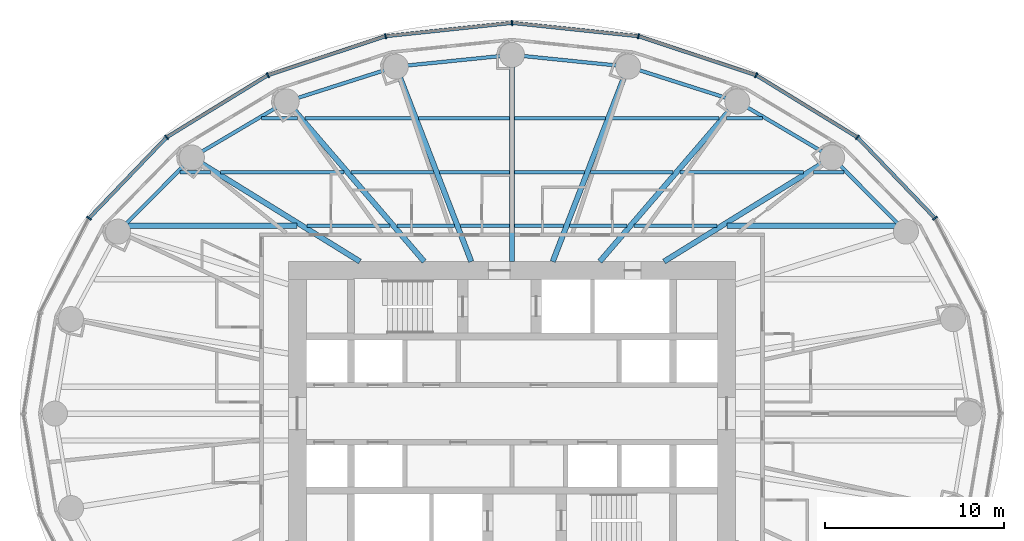
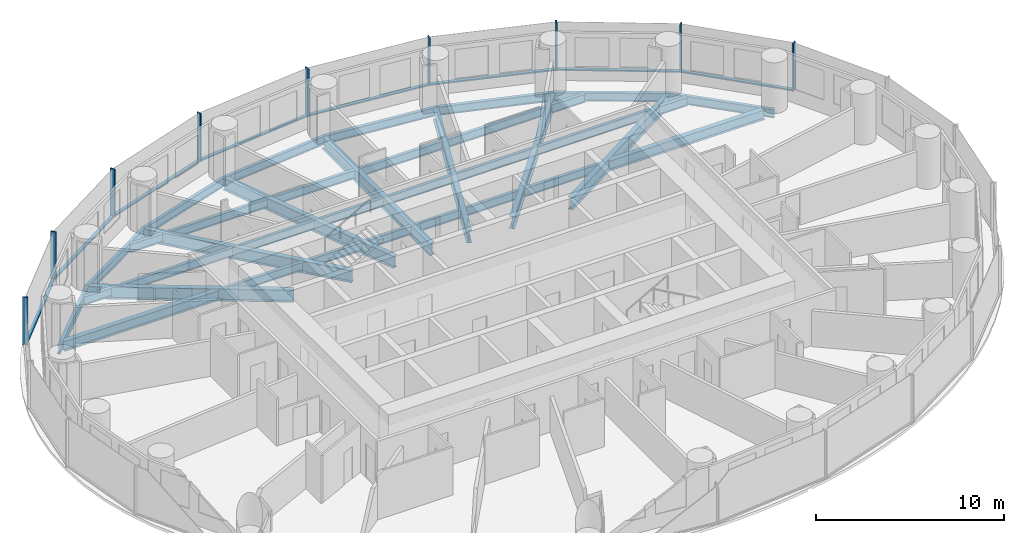
# One storey, part 4 of 14: 37 beams, 17 members, 2 elements without a shape of their own.
"""IFC4 building model written with IfcOpenShell, lengths in metres."""

from ifc_helpers import new_model, si_unit, direction, frame, origin, origin_2d, place, context, subcontext, project, spatial, rectangle, i_section, extrude, material, material_profile, profile_set, type_object, element, aggregate, save


model = new_model("IFC4")

# Units and contexts
model_context = context("Model", 3, precision=1e-05, world=origin(), true_north=direction((0.0, 1.0)))
body_context = subcontext(model_context, "Body", "Model", "MODEL_VIEW")
ifc_project = project(units=[si_unit("LENGTHUNIT", "METRE"), si_unit("AREAUNIT", "SQUARE_METRE"), si_unit("VOLUMEUNIT", "CUBIC_METRE"), si_unit("PLANEANGLEUNIT", "RADIAN"), si_unit("MASSUNIT", "GRAM", prefix="KILO")], contexts=[model_context])

# Site, building, storey
site_placement = place(None, origin())
site = spatial("IfcSite", under=ifc_project, at=site_placement, CompositionType="ELEMENT")
building_placement = place(site_placement, origin())
building = spatial("IfcBuilding", under=site, at=building_placement, Name="Hankou Lantern Tower", CompositionType="ELEMENT")
storey_placement = place(building_placement, frame((0.0, 0.0, 60.60009765625)))
storey = spatial("IfcBuildingStorey", under=building, at=storey_placement, Name="L14", CompositionType="ELEMENT", Elevation=60.60009765625)

# Beams
ifc_material_1 = material(Name="Steel Q355B", Category="steel")
ifc_material_profile_1 = material_profile(ifc_material_1, i_section(OverallWidth=0.199951171875, OverallDepth=0.550048828125, WebThickness=0.010009765625, FlangeThickness=0.01611328125, FilletRadius=0.012939453125, at=origin_2d()), Name="HN550x200x10x16")
ifc_profile_set_1 = profile_set([ifc_material_profile_1], Name="Steel Q355B")
beam_type_1 = type_object("IfcBeamType", Name="EB6 RING BEAM HN550x200x10x16", PredefinedType="SPANDREL", material=ifc_profile_set_1)
beam_1_placement = place(storey_placement, frame((22.01904296875, 10.170166015625, -0.455078125), z_axis=(-0.705727798394, 0.708483079949, 0.0), x_axis=(-0.708483079949, -0.705727798394, 0.0)))
element("IfcBeam", 1, at=beam_1_placement, inside=storey, type_object=beam_type_1, Name="Ring beam R03-R04 L14", PredefinedType="SPANDREL", context=body_context, shape_type="SweptSolid", body=[
    extrude(i_section(OverallWidth=0.199951171875, OverallDepth=0.550048828125, WebThickness=0.010009765625, FlangeThickness=0.01611328125, FilletRadius=0.012939453125, at=origin_2d()), origin(), (0.0, 0.0, 1.0), 5.84814453125),
])
beam_2_placement = place(storey_placement, frame((17.891845703125, 14.3134765625, -0.455078125), z_axis=(-0.860881533543, 0.508805449268, 0.0), x_axis=(-0.508805449268, -0.860881533543, 0.0)))
element("IfcBeam", 2, at=beam_2_placement, inside=storey, type_object=beam_type_1, Name="Ring beam R04-R05 L14", PredefinedType="SPANDREL", context=body_context, shape_type="SweptSolid", body=[
    extrude(i_section(OverallWidth=0.199951171875, OverallDepth=0.550048828125, WebThickness=0.010009765625, FlangeThickness=0.01611328125, FilletRadius=0.012939453125, at=origin_2d()), origin(), (0.0, 0.0, 1.0), 6.15771484375),
])
beam_3_placement = place(storey_placement, frame((12.5908203125, 17.446533203125, -0.455078125), z_axis=(-0.952690479428, 0.303942182671, 0.0), x_axis=(-0.303942182671, -0.952690479428, 0.0)))
element("IfcBeam", 3, at=beam_3_placement, inside=storey, type_object=beam_type_1, Name="Ring beam R05-R06 L14", PredefinedType="SPANDREL", context=body_context, shape_type="SweptSolid", body=[
    extrude(i_section(OverallWidth=0.199951171875, OverallDepth=0.550048828125, WebThickness=0.010009765625, FlangeThickness=0.01611328125, FilletRadius=0.012939453125, at=origin_2d()), origin(), (0.0, 0.0, 1.0), 6.398681640625),
])
for number, where, z_axis, x_axis, name in (
    (4, (6.494873046875, 19.391357421875, -0.455078125), (-0.994896616842, 0.100899562915, 0.0), (-0.100899562915, -0.994896616842, 0.0), "Ring beam R06-R07 L14"),
    (5, (0.0, 20.050048828125, -0.455078125), (-0.994896616842, -0.100899562915, 0.0), (0.100899562915, -0.994896616842, 0.0), "Ring beam R07-R08 L14"),
):
    element("IfcBeam", number, at=place(storey_placement, frame(where, z_axis=z_axis, x_axis=x_axis)), inside=storey, type_object=beam_type_1, Name=name, PredefinedType="SPANDREL", context=body_context, shape_type="SweptSolid", body=[
        extrude(i_section(OverallWidth=0.199951171875, OverallDepth=0.550048828125, WebThickness=0.010009765625, FlangeThickness=0.01611328125, FilletRadius=0.012939453125, at=origin_2d()), origin(), (0.0, 0.0, 1.0), 6.528076171875),
    ])
beam_4_placement = place(storey_placement, frame((-6.494873046875, 19.391357421875, -0.455078125), z_axis=(-0.952690479428, -0.303942182671, 0.0), x_axis=(0.303942182671, -0.952690479428, 0.0)))
element("IfcBeam", 6, at=beam_4_placement, inside=storey, type_object=beam_type_1, Name="Ring beam R08-R09 L14", PredefinedType="SPANDREL", context=body_context, shape_type="SweptSolid", body=[
    extrude(i_section(OverallWidth=0.199951171875, OverallDepth=0.550048828125, WebThickness=0.010009765625, FlangeThickness=0.01611328125, FilletRadius=0.012939453125, at=origin_2d()), origin(), (0.0, 0.0, 1.0), 6.398681640625),
])
beam_5_placement = place(storey_placement, frame((-12.5908203125, 17.446533203125, -0.455078125), z_axis=(-0.860881533543, -0.508805449268, 0.0), x_axis=(0.508805449268, -0.860881533543, 0.0)))
element("IfcBeam", 7, at=beam_5_placement, inside=storey, type_object=beam_type_1, Name="Ring beam R09-R10 L14", PredefinedType="SPANDREL", context=body_context, shape_type="SweptSolid", body=[
    extrude(i_section(OverallWidth=0.199951171875, OverallDepth=0.550048828125, WebThickness=0.010009765625, FlangeThickness=0.01611328125, FilletRadius=0.012939453125, at=origin_2d()), origin(), (0.0, 0.0, 1.0), 6.15771484375),
])
beam_6_placement = place(storey_placement, frame((-17.891845703125, 14.3134765625, -0.455078125), z_axis=(-0.705727798394, -0.708483079949, 0.0), x_axis=(0.708483079949, -0.705727798394, 0.0)))
element("IfcBeam", 8, at=beam_6_placement, inside=storey, type_object=beam_type_1, Name="Ring beam R10-R11 L14", PredefinedType="SPANDREL", context=body_context, shape_type="SweptSolid", body=[
    extrude(i_section(OverallWidth=0.199951171875, OverallDepth=0.550048828125, WebThickness=0.010009765625, FlangeThickness=0.01611328125, FilletRadius=0.012939453125, at=origin_2d()), origin(), (0.0, 0.0, 1.0), 5.84814453125),
])

# Curtain wall, members
ifc_material_2 = material(Name="Glass, dark grey tinted laminated", Category="glass")
curtain_wall_type = type_object("IfcCurtainWallType", Name="CWA OUTER SKIN LOW-RISE", PredefinedType="USERDEFINED", material=ifc_material_2)
curtain_wall_1_placement = place(storey_placement, origin())
curtain_wall_1 = element("IfcCurtainWall", 9, at=curtain_wall_1_placement, inside=storey, type_object=curtain_wall_type, Name="CWA L14 OS1", ObjectType="OUTER SKIN LOW-RISE", PredefinedType="USERDEFINED")
ifc_material_3 = material(Name="Aluminium, black anodised", Category="aluminium")
ifc_material_profile_2 = material_profile(ifc_material_3, rectangle(XDim=0.080078125, YDim=0.300048828125, at=origin_2d()), Name="MU1 80X300")
ifc_profile_set_2 = profile_set([ifc_material_profile_2], Name="Aluminium, black anodised")
member_type_1 = type_object("IfcMemberType", Name="MU1 OUTER SKIN MULLION 80X300", PredefinedType="MULLION", material=ifc_profile_set_2)
member_1_placement = place(storey_placement, frame((23.642578125, 10.919921875, 0.0), z_axis=(0.0, 0.0, 1.0), x_axis=(-0.585205735974, 0.810884854084, 0.0)))
member_1 = element("IfcMember", 10, at=member_1_placement, type_object=member_type_1, Name="CWA mullion 3", PredefinedType="MULLION", context=body_context, shape_type="SweptSolid", body=[
    extrude(rectangle(XDim=0.080078125, YDim=0.300048828125, at=origin_2d()), origin(), (0.0, 0.0, 1.0), 3.119873046875),
])
member_2_placement = place(storey_placement, frame((19.303955078125, 15.443115234375, 0.0), z_axis=(0.0, 0.0, 1.0), x_axis=(-0.780868809444, 0.624695047553, 0.0)))
member_2 = element("IfcMember", 11, at=member_2_placement, type_object=member_type_1, Name="CWA mullion 4", PredefinedType="MULLION", context=body_context, shape_type="SweptSolid", body=[
    extrude(rectangle(XDim=0.080078125, YDim=0.300048828125, at=origin_2d()), origin(), (0.0, 0.0, 1.0), 3.119873046875),
])
member_3_placement = place(storey_placement, frame((13.64990234375, 18.9140625, 0.0), z_axis=(0.0, 0.0, 1.0), x_axis=(-0.907841299004, 0.419313934686, 0.0)))
member_3 = element("IfcMember", 12, at=member_3_placement, type_object=member_type_1, Name="CWA mullion 5", PredefinedType="MULLION", context=body_context, shape_type="SweptSolid", body=[
    extrude(rectangle(XDim=0.080078125, YDim=0.300048828125, at=origin_2d()), origin(), (0.0, 0.0, 1.0), 3.119873046875),
])
member_4_placement = place(storey_placement, frame((7.065673828125, 21.095703125, 0.0), z_axis=(0.0, 0.0, 1.0), x_axis=(-0.977787659625, 0.209597931016, 0.0)))
member_4 = element("IfcMember", 13, at=member_4_placement, type_object=member_type_1, Name="CWA mullion 6", PredefinedType="MULLION", context=body_context, shape_type="SweptSolid", body=[
    extrude(rectangle(XDim=0.080078125, YDim=0.300048828125, at=origin_2d()), origin(), (0.0, 0.0, 1.0), 3.119873046875),
])

curtain_wall_2_placement = place(storey_placement, origin())
curtain_wall_2 = element("IfcCurtainWall", 14, at=curtain_wall_2_placement, inside=storey, type_object=curtain_wall_type, Name="CWA L14 OS2", ObjectType="OUTER SKIN LOW-RISE", PredefinedType="USERDEFINED")
member_5_placement = place(storey_placement, frame((0.0, 21.840087890625, 0.0), z_axis=(0.0, 0.0, 1.0), x_axis=(-0.994499359107, -0.104742659579, 0.0)))
member_5 = element("IfcMember", 15, at=member_5_placement, type_object=member_type_1, Name="CWA mullion 1", PredefinedType="MULLION", context=body_context, shape_type="SweptSolid", body=[
    extrude(rectangle(XDim=0.080078125, YDim=0.300048828125, at=origin_2d()), origin(), (0.0, 0.0, 1.0), 3.119873046875),
])
member_6_placement = place(storey_placement, frame((-7.065673828125, 21.095703125, 0.0), z_axis=(0.0, 0.0, 1.0), x_axis=(-0.977787659625, -0.209597931016, 0.0)))
member_6 = element("IfcMember", 16, at=member_6_placement, type_object=member_type_1, Name="CWA mullion 2", PredefinedType="MULLION", context=body_context, shape_type="SweptSolid", body=[
    extrude(rectangle(XDim=0.080078125, YDim=0.300048828125, at=origin_2d()), origin(), (0.0, 0.0, 1.0), 3.119873046875),
])
member_7_placement = place(storey_placement, frame((-13.64990234375, 18.9140625, 0.0), z_axis=(0.0, 0.0, 1.0), x_axis=(-0.907841299004, -0.419313934686, 0.0)))
member_7 = element("IfcMember", 17, at=member_7_placement, type_object=member_type_1, Name="CWA mullion 3", PredefinedType="MULLION", context=body_context, shape_type="SweptSolid", body=[
    extrude(rectangle(XDim=0.080078125, YDim=0.300048828125, at=origin_2d()), origin(), (0.0, 0.0, 1.0), 3.119873046875),
])
member_8_placement = place(storey_placement, frame((-19.303955078125, 15.443115234375, 0.0), z_axis=(0.0, 0.0, 1.0), x_axis=(-0.780868809444, -0.624695047553, 0.0)))
member_8 = element("IfcMember", 18, at=member_8_placement, type_object=member_type_1, Name="CWA mullion 4", PredefinedType="MULLION", context=body_context, shape_type="SweptSolid", body=[
    extrude(rectangle(XDim=0.080078125, YDim=0.300048828125, at=origin_2d()), origin(), (0.0, 0.0, 1.0), 3.119873046875),
])
member_9_placement = place(storey_placement, frame((-23.642578125, 10.919921875, 0.0), z_axis=(0.0, 0.0, 1.0), x_axis=(-0.585205735974, -0.810884854084, 0.0)))
member_9 = element("IfcMember", 19, at=member_9_placement, type_object=member_type_1, Name="CWA mullion 5", PredefinedType="MULLION", context=body_context, shape_type="SweptSolid", body=[
    extrude(rectangle(XDim=0.080078125, YDim=0.300048828125, at=origin_2d()), origin(), (0.0, 0.0, 1.0), 3.119873046875),
])

# Beams
ifc_material_4 = material(Name="Steel Q355B", Category="steel")
ifc_material_profile_3 = material_profile(ifc_material_4, i_section(OverallWidth=0.300048828125, OverallDepth=0.800048828125, WebThickness=0.013916015625, FlangeThickness=0.02587890625, FilletRadius=0.01806640625, at=origin_2d()), Name="HN800x300x14x26")
ifc_profile_set_3 = profile_set([ifc_material_profile_3], Name="Steel Q355B")
beam_type_2 = type_object("IfcBeamType", Name="RB11 RADIAL BEAM HN800x300x14x26", PredefinedType="BEAM", material=ifc_profile_set_3)
beam_7_placement = place(storey_placement, frame((8.5, 8.5, -0.580078125), z_axis=(0.850286343288, 0.526320372414, 0.0), x_axis=(-0.526320372414, 0.850286343288, 0.0)))
element("IfcBeam", 20, at=beam_7_placement, inside=storey, type_object=beam_type_2, Name="Radial beam R04 L14", PredefinedType="BEAM", context=body_context, shape_type="SweptSolid", body=[
    extrude(i_section(OverallWidth=0.300048828125, OverallDepth=0.800048828125, WebThickness=0.013916015625, FlangeThickness=0.02587890625, FilletRadius=0.01806640625, at=origin_2d()), origin(), (0.0, 0.0, 1.0), 11.04541015625),
])
beam_8_placement = place(storey_placement, frame((4.907470703125, 8.5, -0.580078125), z_axis=(0.651519061225, 0.758632264579, 0.0), x_axis=(-0.758632264579, 0.651519061225, 0.0)))
element("IfcBeam", 21, at=beam_8_placement, inside=storey, type_object=beam_type_2, Name="Radial beam R05 L14", PredefinedType="BEAM", context=body_context, shape_type="SweptSolid", body=[
    extrude(i_section(OverallWidth=0.300048828125, OverallDepth=0.800048828125, WebThickness=0.013916015625, FlangeThickness=0.02587890625, FilletRadius=0.01806640625, at=origin_2d()), origin(), (0.0, 0.0, 1.0), 11.79296875),
])
beam_9_placement = place(storey_placement, frame((2.277587890625, 8.5, -0.580078125), z_axis=(0.361089103374, 0.932531318201, 0.0), x_axis=(-0.932531318201, 0.361089103374, 0.0)))
element("IfcBeam", 22, at=beam_9_placement, inside=storey, type_object=beam_type_2, Name="Radial beam R06 L14", PredefinedType="BEAM", context=body_context, shape_type="SweptSolid", body=[
    extrude(i_section(OverallWidth=0.300048828125, OverallDepth=0.800048828125, WebThickness=0.013916015625, FlangeThickness=0.02587890625, FilletRadius=0.01806640625, at=origin_2d()), origin(), (0.0, 0.0, 1.0), 11.679443359375),
])
beam_10_placement = place(storey_placement, frame((0.0, 8.5, -0.580078125), z_axis=(0.0, 1.0, 0.0), x_axis=(-1.0, 0.0, 0.0)))
element("IfcBeam", 23, at=beam_10_placement, inside=storey, type_object=beam_type_2, Name="Radial beam R07 L14", PredefinedType="BEAM", context=body_context, shape_type="SweptSolid", body=[
    extrude(i_section(OverallWidth=0.300048828125, OverallDepth=0.800048828125, WebThickness=0.013916015625, FlangeThickness=0.02587890625, FilletRadius=0.01806640625, at=origin_2d()), origin(), (0.0, 0.0, 1.0), 11.550048828125),
])
beam_11_placement = place(storey_placement, frame((-2.277587890625, 8.5, -0.580078125), z_axis=(-0.361089103374, 0.932531318201, 0.0), x_axis=(-0.932531318201, -0.361089103374, 0.0)))
element("IfcBeam", 24, at=beam_11_placement, inside=storey, type_object=beam_type_2, Name="Radial beam R08 L14", PredefinedType="BEAM", context=body_context, shape_type="SweptSolid", body=[
    extrude(i_section(OverallWidth=0.300048828125, OverallDepth=0.800048828125, WebThickness=0.013916015625, FlangeThickness=0.02587890625, FilletRadius=0.01806640625, at=origin_2d()), origin(), (0.0, 0.0, 1.0), 11.679443359375),
])
beam_12_placement = place(storey_placement, frame((-4.907470703125, 8.5, -0.580078125), z_axis=(-0.651519061225, 0.758632264579, 0.0), x_axis=(-0.758632264579, -0.651519061225, 0.0)))
element("IfcBeam", 25, at=beam_12_placement, inside=storey, type_object=beam_type_2, Name="Radial beam R09 L14", PredefinedType="BEAM", context=body_context, shape_type="SweptSolid", body=[
    extrude(i_section(OverallWidth=0.300048828125, OverallDepth=0.800048828125, WebThickness=0.013916015625, FlangeThickness=0.02587890625, FilletRadius=0.01806640625, at=origin_2d()), origin(), (0.0, 0.0, 1.0), 11.79296875),
])
beam_13_placement = place(storey_placement, frame((-8.5, 8.5, -0.580078125), z_axis=(-0.850286343288, 0.526320372414, 0.0), x_axis=(-0.526320372414, -0.850286343288, 0.0)))
element("IfcBeam", 26, at=beam_13_placement, inside=storey, type_object=beam_type_2, Name="Radial beam R10 L14", PredefinedType="BEAM", context=body_context, shape_type="SweptSolid", body=[
    extrude(i_section(OverallWidth=0.300048828125, OverallDepth=0.800048828125, WebThickness=0.013916015625, FlangeThickness=0.02587890625, FilletRadius=0.01806640625, at=origin_2d()), origin(), (0.0, 0.0, 1.0), 11.04541015625),
])
ifc_material_5 = material(Name="Steel Q355B", Category="steel")
ifc_material_profile_4 = material_profile(ifc_material_5, i_section(OverallWidth=0.199951171875, OverallDepth=0.550048828125, WebThickness=0.010009765625, FlangeThickness=0.01611328125, FilletRadius=0.012939453125, at=origin_2d()), Name="HN550x200x10x16")
ifc_profile_set_4 = profile_set([ifc_material_profile_4], Name="Steel Q355B")
beam_type_3 = type_object("IfcBeamType", Name="SB6 SECONDARY BEAM HN550x200x10x16", PredefinedType="JOIST", material=ifc_profile_set_4)
beam_14_placement = place(storey_placement, frame((-11.446044921875, 10.5, -0.455078125), z_axis=(1.0, 0.0, 0.0), x_axis=(0.0, 1.0, 0.0)))
element("IfcBeam", 27, at=beam_14_placement, inside=storey, type_object=beam_type_3, Name="Floor joist J040 L14", PredefinedType="JOIST", context=body_context, shape_type="SweptSolid", body=[
    extrude(i_section(OverallWidth=0.199951171875, OverallDepth=0.550048828125, WebThickness=0.010009765625, FlangeThickness=0.01611328125, FilletRadius=0.012939453125, at=origin_2d()), origin(), (0.0, 0.0, 1.0), 4.623291015625),
])
beam_15_placement = place(storey_placement, frame((-6.427490234375, 10.5, -0.455078125), z_axis=(1.0, 0.0, 0.0), x_axis=(0.0, 1.0, 0.0)))
element("IfcBeam", 28, at=beam_15_placement, inside=storey, type_object=beam_type_3, Name="Floor joist J041 L14", PredefinedType="JOIST", context=body_context, shape_type="SweptSolid", body=[
    extrude(i_section(OverallWidth=0.199951171875, OverallDepth=0.550048828125, WebThickness=0.010009765625, FlangeThickness=0.01611328125, FilletRadius=0.012939453125, at=origin_2d()), origin(), (0.0, 0.0, 1.0), 3.214599609375),
])
for number, where, z_axis, x_axis, name in (
    (29, (-2.89111328125, 10.5, -0.455078125), (1.0, 0.0, 0.0), (0.0, 1.0, 0.0), "Floor joist J042 L14"),
    (30, (0.14990234375, 10.5, -0.455078125), (1.0, 0.0, 0.0), (0.0, 1.0, 0.0), "Floor joist J043 L14"),
):
    element("IfcBeam", number, at=place(storey_placement, frame(where, z_axis=z_axis, x_axis=x_axis)), inside=storey, type_object=beam_type_3, Name=name, PredefinedType="JOIST", context=body_context, shape_type="SweptSolid", body=[
        extrude(i_section(OverallWidth=0.199951171875, OverallDepth=0.550048828125, WebThickness=0.010009765625, FlangeThickness=0.01611328125, FilletRadius=0.012939453125, at=origin_2d()), origin(), (0.0, 0.0, 1.0), 2.7412109375),
    ])
beam_16_placement = place(storey_placement, frame((3.212890625, 10.5, -0.455078125), z_axis=(1.0, 0.0, 0.0), x_axis=(0.0, 1.0, 0.0)))
element("IfcBeam", 31, at=beam_16_placement, inside=storey, type_object=beam_type_3, Name="Floor joist J044 L14", PredefinedType="JOIST", context=body_context, shape_type="SweptSolid", body=[
    extrude(i_section(OverallWidth=0.199951171875, OverallDepth=0.550048828125, WebThickness=0.010009765625, FlangeThickness=0.01611328125, FilletRadius=0.012939453125, at=origin_2d()), origin(), (0.0, 0.0, 1.0), 3.214599609375),
])
beam_17_placement = place(storey_placement, frame((6.82275390625, 10.5, -0.455078125), z_axis=(1.0, 0.0, 0.0), x_axis=(0.0, 1.0, 0.0)))
element("IfcBeam", 32, at=beam_17_placement, inside=storey, type_object=beam_type_3, Name="Floor joist J045 L14", PredefinedType="JOIST", context=body_context, shape_type="SweptSolid", body=[
    extrude(i_section(OverallWidth=0.199951171875, OverallDepth=0.550048828125, WebThickness=0.010009765625, FlangeThickness=0.01611328125, FilletRadius=0.012939453125, at=origin_2d()), origin(), (0.0, 0.0, 1.0), 4.623291015625),
])
beam_18_placement = place(storey_placement, frame((-18.560791015625, 13.5, -0.455078125), z_axis=(1.0, 0.0, 0.0), x_axis=(0.0, 1.0, 0.0)))
element("IfcBeam", 33, at=beam_18_placement, inside=storey, type_object=beam_type_3, Name="Floor joist J047 L14", PredefinedType="JOIST", context=body_context, shape_type="SweptSolid", body=[
    extrude(i_section(OverallWidth=0.199951171875, OverallDepth=0.550048828125, WebThickness=0.010009765625, FlangeThickness=0.01611328125, FilletRadius=0.012939453125, at=origin_2d()), origin(), (0.0, 0.0, 1.0), 1.697998046875),
])
beam_19_placement = place(storey_placement, frame((-16.292724609375, 13.5, -0.455078125), z_axis=(1.0, 0.0, 0.0), x_axis=(0.0, 1.0, 0.0)))
element("IfcBeam", 34, at=beam_19_placement, inside=storey, type_object=beam_type_3, Name="Floor joist J048 L14", PredefinedType="JOIST", context=body_context, shape_type="SweptSolid", body=[
    extrude(i_section(OverallWidth=0.199951171875, OverallDepth=0.550048828125, WebThickness=0.010009765625, FlangeThickness=0.01611328125, FilletRadius=0.012939453125, at=origin_2d()), origin(), (0.0, 0.0, 1.0), 6.893310546875),
])
beam_20_placement = place(storey_placement, frame((-9.00390625, 13.5, -0.455078125), z_axis=(1.0, 0.0, 0.0), x_axis=(0.0, 1.0, 0.0)))
element("IfcBeam", 35, at=beam_20_placement, inside=storey, type_object=beam_type_3, Name="Floor joist J049 L14", PredefinedType="JOIST", context=body_context, shape_type="SweptSolid", body=[
    extrude(i_section(OverallWidth=0.199951171875, OverallDepth=0.550048828125, WebThickness=0.010009765625, FlangeThickness=0.01611328125, FilletRadius=0.012939453125, at=origin_2d()), origin(), (0.0, 0.0, 1.0), 4.62939453125),
])
for number, where, z_axis, x_axis, name in (
    (36, (-4.052734375, 13.5, -0.455078125), (1.0, 0.0, 0.0), (0.0, 1.0, 0.0), "Floor joist J050 L14"),
    (37, (0.14990234375, 13.5, -0.455078125), (1.0, 0.0, 0.0), (0.0, 1.0, 0.0), "Floor joist J051 L14"),
):
    element("IfcBeam", number, at=place(storey_placement, frame(where, z_axis=z_axis, x_axis=x_axis)), inside=storey, type_object=beam_type_3, Name=name, PredefinedType="JOIST", context=body_context, shape_type="SweptSolid", body=[
        extrude(i_section(OverallWidth=0.199951171875, OverallDepth=0.550048828125, WebThickness=0.010009765625, FlangeThickness=0.01611328125, FilletRadius=0.012939453125, at=origin_2d()), origin(), (0.0, 0.0, 1.0), 3.90283203125),
    ])
beam_21_placement = place(storey_placement, frame((4.37451171875, 13.5, -0.455078125), z_axis=(1.0, 0.0, 0.0), x_axis=(0.0, 1.0, 0.0)))
element("IfcBeam", 38, at=beam_21_placement, inside=storey, type_object=beam_type_3, Name="Floor joist J052 L14", PredefinedType="JOIST", context=body_context, shape_type="SweptSolid", body=[
    extrude(i_section(OverallWidth=0.199951171875, OverallDepth=0.550048828125, WebThickness=0.010009765625, FlangeThickness=0.01611328125, FilletRadius=0.012939453125, at=origin_2d()), origin(), (0.0, 0.0, 1.0), 4.62939453125),
])
beam_22_placement = place(storey_placement, frame((9.3994140625, 13.5, -0.455078125), z_axis=(1.0, 0.0, 0.0), x_axis=(0.0, 1.0, 0.0)))
element("IfcBeam", 39, at=beam_22_placement, inside=storey, type_object=beam_type_3, Name="Floor joist J053 L14", PredefinedType="JOIST", context=body_context, shape_type="SweptSolid", body=[
    extrude(i_section(OverallWidth=0.199951171875, OverallDepth=0.550048828125, WebThickness=0.010009765625, FlangeThickness=0.01611328125, FilletRadius=0.012939453125, at=origin_2d()), origin(), (0.0, 0.0, 1.0), 6.893310546875),
])
beam_23_placement = place(storey_placement, frame((16.86279296875, 13.5, -0.455078125), z_axis=(1.0, 0.0, 0.0), x_axis=(0.0, 1.0, 0.0)))
element("IfcBeam", 40, at=beam_23_placement, inside=storey, type_object=beam_type_3, Name="Floor joist J054 L14", PredefinedType="JOIST", context=body_context, shape_type="SweptSolid", body=[
    extrude(i_section(OverallWidth=0.199951171875, OverallDepth=0.550048828125, WebThickness=0.010009765625, FlangeThickness=0.01611328125, FilletRadius=0.012939453125, at=origin_2d()), origin(), (0.0, 0.0, 1.0), 1.697998046875),
])
beam_24_placement = place(storey_placement, frame((-13.99560546875, 16.5, -0.455078125), z_axis=(1.0, 0.0, 0.0), x_axis=(0.0, 1.0, 0.0)))
element("IfcBeam", 41, at=beam_24_placement, inside=storey, type_object=beam_type_3, Name="Floor joist J055 L14", PredefinedType="JOIST", context=body_context, shape_type="SweptSolid", body=[
    extrude(i_section(OverallWidth=0.199951171875, OverallDepth=0.550048828125, WebThickness=0.010009765625, FlangeThickness=0.01611328125, FilletRadius=0.012939453125, at=origin_2d()), origin(), (0.0, 0.0, 1.0), 2.019775390625),
])
beam_25_placement = place(storey_placement, frame((-11.580322265625, 16.5, -0.455078125), z_axis=(1.0, 0.0, 0.0), x_axis=(0.0, 1.0, 0.0)))
element("IfcBeam", 42, at=beam_25_placement, inside=storey, type_object=beam_type_3, Name="Floor joist J056 L14", PredefinedType="JOIST", context=body_context, shape_type="SweptSolid", body=[
    extrude(i_section(OverallWidth=0.199951171875, OverallDepth=0.550048828125, WebThickness=0.010009765625, FlangeThickness=0.01611328125, FilletRadius=0.012939453125, at=origin_2d()), origin(), (0.0, 0.0, 1.0), 6.044189453125),
])
for number, where, z_axis, x_axis, name in (
    (43, (-5.21435546875, 16.5, -0.455078125), (1.0, 0.0, 0.0), (0.0, 1.0, 0.0), "Floor joist J057 L14"),
    (44, (0.14990234375, 16.5, -0.455078125), (1.0, 0.0, 0.0), (0.0, 1.0, 0.0), "Floor joist J058 L14"),
):
    element("IfcBeam", number, at=place(storey_placement, frame(where, z_axis=z_axis, x_axis=x_axis)), inside=storey, type_object=beam_type_3, Name=name, PredefinedType="JOIST", context=body_context, shape_type="SweptSolid", body=[
        extrude(i_section(OverallWidth=0.199951171875, OverallDepth=0.550048828125, WebThickness=0.010009765625, FlangeThickness=0.01611328125, FilletRadius=0.012939453125, at=origin_2d()), origin(), (0.0, 0.0, 1.0), 5.064453125),
    ])
beam_26_placement = place(storey_placement, frame((5.5361328125, 16.5, -0.455078125), z_axis=(1.0, 0.0, 0.0), x_axis=(0.0, 1.0, 0.0)))
element("IfcBeam", 45, at=beam_26_placement, inside=storey, type_object=beam_type_3, Name="Floor joist J059 L14", PredefinedType="JOIST", context=body_context, shape_type="SweptSolid", body=[
    extrude(i_section(OverallWidth=0.199951171875, OverallDepth=0.550048828125, WebThickness=0.010009765625, FlangeThickness=0.01611328125, FilletRadius=0.012939453125, at=origin_2d()), origin(), (0.0, 0.0, 1.0), 6.044189453125),
])
beam_27_placement = place(storey_placement, frame((11.975830078125, 16.5, -0.455078125), z_axis=(1.0, 0.0, 0.0), x_axis=(0.0, 1.0, 0.0)))
element("IfcBeam", 46, at=beam_27_placement, inside=storey, type_object=beam_type_3, Name="Floor joist J060 L14", PredefinedType="JOIST", context=body_context, shape_type="SweptSolid", body=[
    extrude(i_section(OverallWidth=0.199951171875, OverallDepth=0.550048828125, WebThickness=0.010009765625, FlangeThickness=0.01611328125, FilletRadius=0.012939453125, at=origin_2d()), origin(), (0.0, 0.0, 1.0), 2.019775390625),
])
ifc_material_6 = material(Name="Steel Q355B", Category="steel")
ifc_material_profile_5 = material_profile(ifc_material_6, i_section(OverallWidth=0.300048828125, OverallDepth=0.64990234375, WebThickness=0.010986328125, FlangeThickness=0.01708984375, FilletRadius=0.01806640625, at=origin_2d()), Name="HN650x300x11x17")
ifc_profile_set_5 = profile_set([ifc_material_profile_5], Name="Steel Q355B")
beam_type_4 = type_object("IfcBeamType", Name="SB8 SECONDARY BEAM HN650x300x11x17", PredefinedType="JOIST", material=ifc_profile_set_5)
for number, where, z_axis, x_axis, name in (
    (47, (-21.54931640625, 10.5, -0.505126953125), (1.0, 0.0, 0.0), (0.0, 1.0, 0.0), "Floor joist J039 L14"),
    (48, (12.01611328125, 10.5, -0.505126953125), (1.0, 0.0, 0.0), (0.0, 1.0, 0.0), "Floor joist J046 L14"),
):
    element("IfcBeam", number, at=place(storey_placement, frame(where, z_axis=z_axis, x_axis=x_axis)), inside=storey, type_object=beam_type_4, Name=name, PredefinedType="JOIST", context=body_context, shape_type="SweptSolid", body=[
        extrude(i_section(OverallWidth=0.300048828125, OverallDepth=0.64990234375, WebThickness=0.010986328125, FlangeThickness=0.01708984375, FilletRadius=0.01806640625, at=origin_2d()), origin(), (0.0, 0.0, 1.0), 9.533203125),
    ])

# Member
ifc_material_7 = material(Name="Aluminium, black anodised", Category="aluminium")
ifc_material_profile_6 = material_profile(ifc_material_7, rectangle(XDim=0.199951171875, YDim=0.080078125, at=origin_2d()), Name="TR1 200X80")
ifc_profile_set_6 = profile_set([ifc_material_profile_6], Name="Aluminium, black anodised")
member_type_2 = type_object("IfcMemberType", Name="TR1 OUTER SKIN TRANSOM 200X80", PredefinedType="USERDEFINED", material=ifc_profile_set_6)
member_10_placement = place(storey_placement, frame((23.61474609375, 10.948974609375, 0.039794921875), z_axis=(-0.692215537374, 0.721690827029, 0.0), x_axis=(-0.721690827029, -0.692215537374, 0.0)))
member_10 = element("IfcMember", 49, at=member_10_placement, type_object=member_type_2, Name="CWA transom 3", ObjectType="TRANSOM", PredefinedType="USERDEFINED", context=body_context, shape_type="SweptSolid", body=[
    extrude(rectangle(XDim=0.199951171875, YDim=0.080078125, at=origin_2d()), origin(), (0.0, 0.0, 1.0), 6.187255859375),
])

member_11_placement = place(storey_placement, frame((19.27001953125, 15.464111328125, 0.039794921875), z_axis=(-0.85223969557, 0.523151508929, 0.0), x_axis=(-0.523151508929, -0.85223969557, 0.0)))
member_11 = element("IfcMember", 50, at=member_11_placement, type_object=member_type_2, Name="CWA transom 4", ObjectType="TRANSOM", PredefinedType="USERDEFINED", context=body_context, shape_type="SweptSolid", body=[
    extrude(rectangle(XDim=0.199951171875, YDim=0.080078125, at=origin_2d()), origin(), (0.0, 0.0, 1.0), 6.554443359375),
])

member_12_placement = place(storey_placement, frame((13.612060546875, 18.926513671875, 0.039794921875), z_axis=(-0.949237318771, 0.314560825044, 0.0), x_axis=(-0.314560825044, -0.949237318771, 0.0)))
member_12 = element("IfcMember", 51, at=member_12_placement, type_object=member_type_2, Name="CWA transom 5", ObjectType="TRANSOM", PredefinedType="USERDEFINED", context=body_context, shape_type="SweptSolid", body=[
    extrude(rectangle(XDim=0.199951171875, YDim=0.080078125, at=origin_2d()), origin(), (0.0, 0.0, 1.0), 6.8564453125),
])

member_13_placement = place(storey_placement, frame((7.02587890625, 21.10009765625, 0.039794921875), z_axis=(-0.994502215033, 0.104715539888, 0.0), x_axis=(-0.104715539888, -0.994502215033, 0.0)))
member_13 = element("IfcMember", 52, at=member_13_placement, type_object=member_type_2, Name="CWA transom 6", ObjectType="TRANSOM", PredefinedType="USERDEFINED", context=body_context, shape_type="SweptSolid", body=[
    extrude(rectangle(XDim=0.199951171875, YDim=0.080078125, at=origin_2d()), origin(), (0.0, 0.0, 1.0), 7.024658203125),
])

aggregate(curtain_wall_1, [member_1, member_2, member_3, member_4, member_10, member_11, member_12, member_13])

member_14_placement = place(storey_placement, frame((-0.039794921875, 21.835693359375, 0.039794921875), z_axis=(-0.994502215033, -0.104715539888, 0.0), x_axis=(0.104715539888, -0.994502215033, 0.0)))
member_14 = element("IfcMember", 53, at=member_14_placement, type_object=member_type_2, Name="CWA transom 1", ObjectType="TRANSOM", PredefinedType="USERDEFINED", context=body_context, shape_type="SweptSolid", body=[
    extrude(rectangle(XDim=0.199951171875, YDim=0.080078125, at=origin_2d()), origin(), (0.0, 0.0, 1.0), 7.024658203125),
])

member_15_placement = place(storey_placement, frame((-7.103759765625, 21.083251953125, 0.039794921875), z_axis=(-0.949237318771, -0.314560825044, 0.0), x_axis=(0.314560825044, -0.949237318771, 0.0)))
member_15 = element("IfcMember", 54, at=member_15_placement, type_object=member_type_2, Name="CWA transom 2", ObjectType="TRANSOM", PredefinedType="USERDEFINED", context=body_context, shape_type="SweptSolid", body=[
    extrude(rectangle(XDim=0.199951171875, YDim=0.080078125, at=origin_2d()), origin(), (0.0, 0.0, 1.0), 6.8564453125),
])

member_16_placement = place(storey_placement, frame((-13.68408203125, 18.89306640625, 0.039794921875), z_axis=(-0.85223969557, -0.523151508929, 0.0), x_axis=(0.523151508929, -0.85223969557, 0.0)))
member_16 = element("IfcMember", 55, at=member_16_placement, type_object=member_type_2, Name="CWA transom 3", ObjectType="TRANSOM", PredefinedType="USERDEFINED", context=body_context, shape_type="SweptSolid", body=[
    extrude(rectangle(XDim=0.199951171875, YDim=0.080078125, at=origin_2d()), origin(), (0.0, 0.0, 1.0), 6.554443359375),
])

member_17_placement = place(storey_placement, frame((-19.331787109375, 15.414306640625, 0.039794921875), z_axis=(-0.692215537374, -0.721690827029, 0.0), x_axis=(0.721690827029, -0.692215537374, 0.0)))
member_17 = element("IfcMember", 56, at=member_17_placement, type_object=member_type_2, Name="CWA transom 4", ObjectType="TRANSOM", PredefinedType="USERDEFINED", context=body_context, shape_type="SweptSolid", body=[
    extrude(rectangle(XDim=0.199951171875, YDim=0.080078125, at=origin_2d()), origin(), (0.0, 0.0, 1.0), 6.187255859375),
])

aggregate(curtain_wall_2, [member_5, member_6, member_7, member_8, member_9, member_14, member_15, member_16, member_17])

save(model, "model.ifc")
